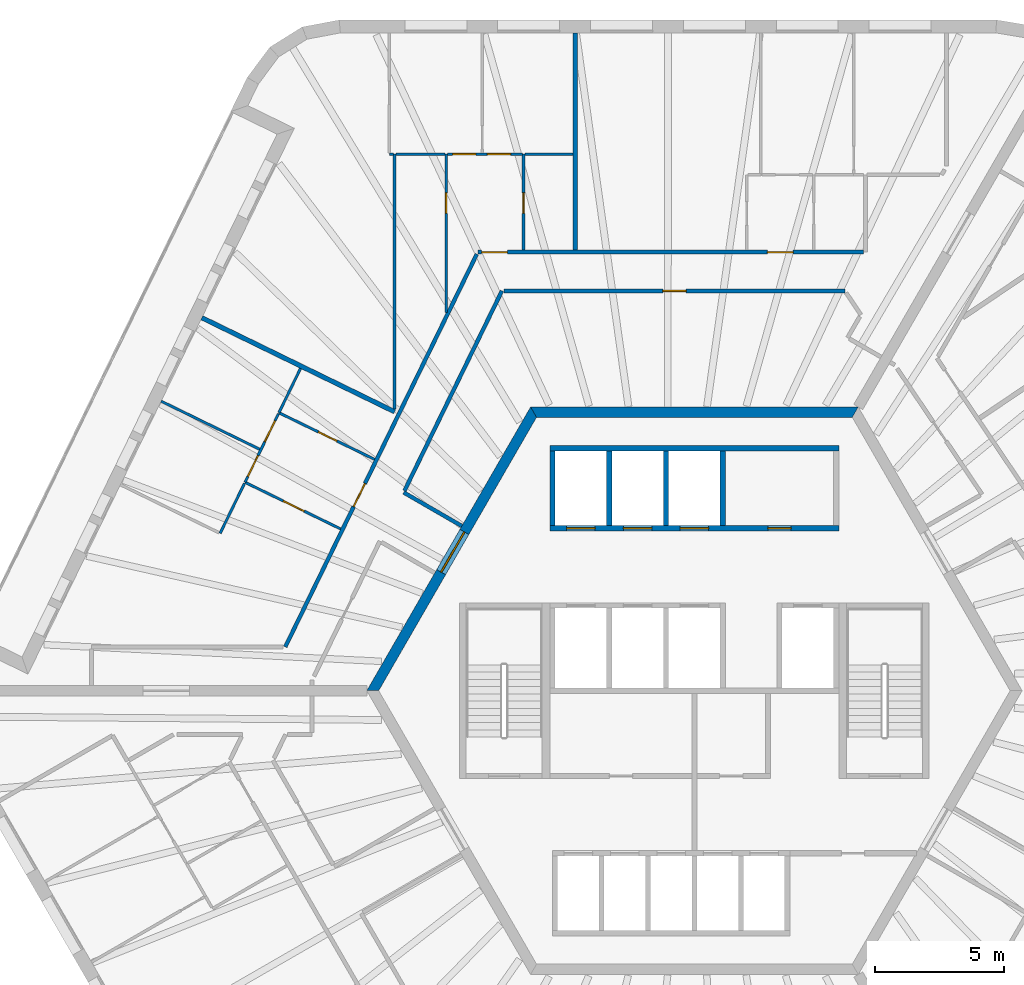
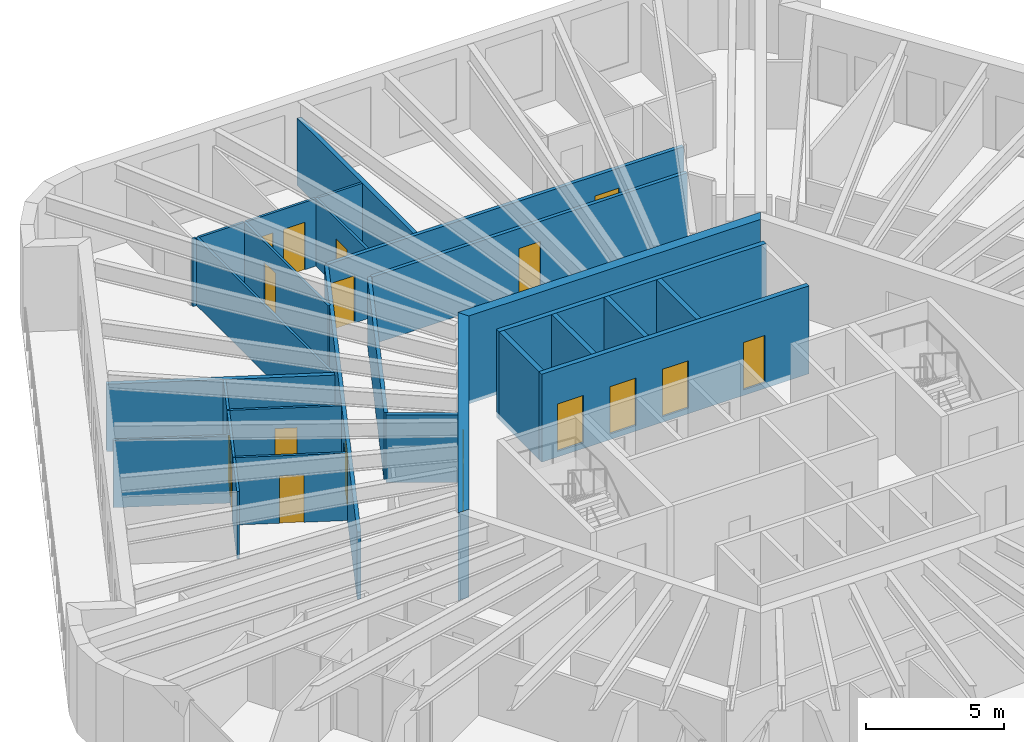
# One storey, part 8 of 12: 28 walls, 17 doors, 17 openings.
"""IFC4 building model written with IfcOpenShell, lengths in metres."""

import ifcopenshell
import ifcopenshell.guid

model = None  # the IFC model being written
_history = None  # IfcOwnerHistory: only IFC2X3 demands one
_inside = {}  # id of a spatial element -> (the spatial element, [elements in it])
_under = {}  # id of a project, library or spatial element -> (it, [spatial elements below it])
_declared = {}  # id of a project -> (the project, [libraries it declares])
_typed = {}  # id of a type object -> (the type object, [elements of that type])
_made_of = {}  # id of a material, layer set ... -> (it, [elements and type objects made of it])


def new_model(schema):
    """Start an empty IFC model of exactly this schema.

    Asked for "IFC4X3", IfcOpenShell would pick the latest addendum, in which some entities
    have other attributes; the version numbers below select the first issue.
    IFC2X3 requires an IfcOwnerHistory on every rooted entity: one is made here for all.
    """
    global model, _history
    if schema == "IFC4X3":
        model = ifcopenshell.file(schema_version=(4, 3, 0, 0))
    else:
        model = ifcopenshell.file(schema=schema)
    _inside.clear()
    _under.clear()
    _declared.clear()
    _typed.clear()
    _made_of.clear()
    _history = None
    if model.schema == "IFC2X3":
        org = make("IfcOrganization", Name="unknown")
        user = make(
            "IfcPersonAndOrganization",
            ThePerson=make("IfcPerson", FamilyName="unknown"),
            TheOrganization=org,
        )
        app = make(
            "IfcApplication",
            ApplicationDeveloper=org,
            Version="unknown",
            ApplicationFullName="unknown",
            ApplicationIdentifier="unknown",
        )
        _history = make(
            "IfcOwnerHistory",
            OwningUser=user,
            OwningApplication=app,
            ChangeAction="ADDED",
            CreationDate=0,
        )
    return model


def make(cls, **values):
    """One entity of the class cls with the attributes given. An attribute that is None is left unset."""
    return model.create_entity(
        cls, **{name: value for name, value in values.items() if value is not None}
    )


def rooted(cls, **values):
    """An entity with a GlobalId (a new one), such as an element, a storey or a relation."""
    return make(cls, GlobalId=ifcopenshell.guid.new(), OwnerHistory=_history, **values)


def si_unit(unit_type, name, prefix=None):
    """IfcSIUnit, for example si_unit("LENGTHUNIT", "METRE", prefix="MILLI")."""
    return make("IfcSIUnit", UnitType=unit_type, Prefix=prefix, Name=name)


def assignment(units):
    """IfcUnitAssignment: the units of a project."""
    return None if units is None else make("IfcUnitAssignment", Units=units)


def point(xyz):
    """IfcCartesianPoint."""
    return None if xyz is None else make("IfcCartesianPoint", Coordinates=xyz)


def direction(xyz):
    """IfcDirection."""
    return None if xyz is None else make("IfcDirection", DirectionRatios=xyz)


def frame(location, z_axis=None, x_axis=None):
    """IfcAxis2Placement3D, a coordinate frame: its origin and axes. An axis left out is left unset."""
    return make(
        "IfcAxis2Placement3D",
        Location=point(location),
        Axis=direction(z_axis),
        RefDirection=direction(x_axis),
    )


def frame_2d(location, x_axis=None):
    """IfcAxis2Placement2D, a coordinate frame in the plane: its origin and x axis."""
    return make(
        "IfcAxis2Placement2D", Location=point(location), RefDirection=direction(x_axis)
    )


def origin():
    """The frame at (0, 0, 0) with its axes left unset."""
    return frame((0.0, 0.0, 0.0))


def place(relative_to, where):
    """IfcLocalPlacement: puts the frame where relative to a parent placement (None: the world)."""
    return make(
        "IfcLocalPlacement", PlacementRelTo=relative_to, RelativePlacement=where
    )


def context(
    kind, dimensions, precision=None, world=None, true_north=None, identifier=None
):
    """IfcGeometricRepresentationContext, for example the 3D "Model" context."""
    return make(
        "IfcGeometricRepresentationContext",
        ContextIdentifier=identifier,
        ContextType=kind,
        CoordinateSpaceDimension=dimensions,
        Precision=precision,
        WorldCoordinateSystem=world,
        TrueNorth=true_north,
    )


def subcontext(parent, identifier, kind, view, scale=None):
    """IfcGeometricRepresentationSubContext, for example "Body" below "Model"."""
    return make(
        "IfcGeometricRepresentationSubContext",
        ContextIdentifier=identifier,
        ContextType=kind,
        ParentContext=parent,
        TargetScale=scale,
        TargetView=view,
    )


def project(units=None, contexts=None):
    """IfcProject with its units and contexts."""
    return rooted(
        "IfcProject",
        Name="project",
        RepresentationContexts=contexts,
        UnitsInContext=assignment(units),
    )


def spatial(cls, under=None, at=None, **own):
    """A site, building, storey or space (cls), placed at a placement, below another one or the project."""
    s = rooted(cls, ObjectPlacement=at, **own)
    if under is not None:
        _under.setdefault(under.id(), (under, []))[1].append(s)
    return s


def polyline(points):
    """IfcPolyline through the points."""
    return make("IfcPolyline", Points=[point(p) for p in points])


def profile(cls, at=None, kind="AREA", **sizes):
    """A parametric profile (cls). Its sizes go by their IFC names, for example OverallWidth=200.0."""
    return make(cls, ProfileType=kind, Position=at, **sizes)


def rectangle(**sizes):
    """IfcRectangleProfileDef."""
    return profile("IfcRectangleProfileDef", **sizes)


def outline(outer, holes=None, kind="AREA"):
    """IfcArbitraryClosedProfileDef: a profile drawn as a closed curve; with holes, ...WithVoids."""
    if holes is None:
        return make("IfcArbitraryClosedProfileDef", ProfileType=kind, OuterCurve=outer)
    return make(
        "IfcArbitraryProfileDefWithVoids",
        ProfileType=kind,
        OuterCurve=outer,
        InnerCurves=holes,
    )


def extrude(swept, where, along, depth):
    """IfcExtrudedAreaSolid: the profile swept, set in the frame where, extruded along a direction by depth."""
    return make(
        "IfcExtrudedAreaSolid",
        SweptArea=swept,
        Position=where,
        ExtrudedDirection=direction(along),
        Depth=depth,
    )


def shape(context_of_items, identifier, shape_type, items):
    """IfcShapeRepresentation: the items that make up one representation, for example the "Body"."""
    return make(
        "IfcShapeRepresentation",
        ContextOfItems=context_of_items,
        RepresentationIdentifier=identifier,
        RepresentationType=shape_type,
        Items=items,
    )


def material(Name=None, Category=None):
    """IfcMaterial."""
    return make("IfcMaterial", Name=Name, Category=Category)


def layer(
    of_material, thickness, ventilated=None, Name=None, Category=None, Priority=None
):
    """IfcMaterialLayer: one layer of a wall or slab, of a material (None: an air gap)."""
    return make(
        "IfcMaterialLayer",
        Material=of_material,
        LayerThickness=thickness,
        IsVentilated=ventilated,
        Name=Name,
        Category=Category,
        Priority=Priority,
    )


def layer_set(layers, Name=None):
    """IfcMaterialLayerSet."""
    return make("IfcMaterialLayerSet", MaterialLayers=layers, LayerSetName=Name)


def made_of(thing, what):
    """Note that an element or type object is made of a material, layer set ...; save() writes the relation."""
    if what is not None:
        _made_of.setdefault(what.id(), (what, []))[1].append(thing)
    return thing


def type_object(cls, material=None, **own):
    """A type object (cls), such as IfcWallType, which elements share."""
    return made_of(rooted(cls, **own), material)


def element(
    cls,
    number,
    at=None,
    inside=None,
    cuts=None,
    type_object=None,
    material=None,
    context=None,
    identifier="Body",
    shape_type=None,
    held_by="IfcProductDefinitionShape",
    body=None,
    shapes=None,
    **own,
):
    """One element of the class cls, such as IfcWall. Its Tag is "e" and its number.

    at: its placement. inside: the storey or other place that contains it. cuts: it is an
    opening in that element (IfcRelVoidsElement). A single representation is given by context,
    identifier, shape_type and body (its items); several are given by shapes. held_by: the class
    of the entity that holds the representations. save() writes the other relations.
    """
    e = rooted(cls, Tag="e%d" % number, ObjectPlacement=at, **own)
    if body is not None:
        shapes = [shape(context, identifier, shape_type, body)]
    if shapes is not None:
        e.Representation = make(held_by, Representations=shapes)
    if inside is not None:
        _inside.setdefault(inside.id(), (inside, []))[1].append(e)
    if cuts is not None:
        rooted(
            "IfcRelVoidsElement", RelatingBuildingElement=cuts, RelatedOpeningElement=e
        )
    if type_object is not None:
        _typed.setdefault(type_object.id(), (type_object, []))[1].append(e)
    return made_of(e, material)


def fill(opening, filler):
    """IfcRelFillsElement: the door or window that sits in an opening."""
    return rooted(
        "IfcRelFillsElement",
        RelatingOpeningElement=opening,
        RelatedBuildingElement=filler,
    )


def aggregate(whole, parts):
    """IfcRelAggregates: a whole, such as a stair, and the parts it consists of."""
    return rooted("IfcRelAggregates", RelatingObject=whole, RelatedObjects=parts)


def save(model, path):
    """Write the relations noted so far, then the file.

    IfcRelAggregates (storeys below a building ...), IfcRelContainedInSpatialStructure (elements
    in a storey), IfcRelDefinesByType, IfcRelAssociatesMaterial and IfcRelDeclares: one each for
    every whole, place, type object, material and project.
    """
    for whole, parts in _under.values():
        aggregate(whole, parts)
    for where, things in _inside.values():
        rooted(
            "IfcRelContainedInSpatialStructure",
            RelatedElements=things,
            RelatingStructure=where,
        )
    for kind, things in _typed.values():
        rooted("IfcRelDefinesByType", RelatedObjects=things, RelatingType=kind)
    for what, things in _made_of.values():
        rooted("IfcRelAssociatesMaterial", RelatedObjects=things, RelatingMaterial=what)
    for by, libraries in _declared.values():
        rooted("IfcRelDeclares", RelatingContext=by, RelatedDefinitions=libraries)
    model.write(path)


model = new_model("IFC4")

# Units and contexts
model_context = context("Model", 3, precision=1e-05, world=origin(), true_north=direction((0.0, 1.0)))
body_context = subcontext(model_context, "Body", "Model", "MODEL_VIEW")
ifc_project = project(units=[si_unit("LENGTHUNIT", "METRE"), si_unit("AREAUNIT", "SQUARE_METRE"), si_unit("VOLUMEUNIT", "CUBIC_METRE"), si_unit("PLANEANGLEUNIT", "RADIAN"), si_unit("MASSUNIT", "GRAM", prefix="KILO")], contexts=[model_context])

# Site, building, storey
site_placement = place(None, origin())
site = spatial("IfcSite", under=ifc_project, at=site_placement, CompositionType="ELEMENT")
building_placement = place(site_placement, origin())
building = spatial("IfcBuilding", under=site, at=building_placement, Name="Tarnside Tower", CompositionType="ELEMENT")
storey_placement = place(building_placement, frame((0.0, 0.0, 310.800048828125)))
storey = spatial("IfcBuildingStorey", under=building, at=storey_placement, Name="L75", CompositionType="ELEMENT", Elevation=310.800048828125)

# Wall
ifc_material_1 = material(Name="Gypsum board partition on steel studs", Category="steel")
ifc_layer_1 = layer(ifc_material_1, 0.10009765625)
ifc_layer_set_1 = layer_set([ifc_layer_1], Name="Bathroom wall 100")
wall_type_1 = type_object("IfcWallType", Name="Bathroom wall 100", PredefinedType="PARTITIONING", material=ifc_layer_set_1)
wall_1_placement = place(storey_placement, frame((-11.624755859375, 10.915283203125, 0.0), z_axis=(0.0, 0.0, 1.0), x_axis=(0.0, 1.0, 0.0)))
element("IfcWall", 1, at=wall_1_placement, inside=storey, type_object=wall_type_1, Name="Bathroom wall 24095", PredefinedType="PARTITIONING", context=body_context, shape_type="SweptSolid", body=[
    extrude(rectangle(XDim=9.884765625, YDim=0.10009765625, at=frame_2d((4.9423828125, 0.0))), origin(), (0.0, 0.0, 1.0), 2.98779296875),
])

# Wall, opening, door
wall_2_placement = place(storey_placement, frame((-6.624755859375, 17.074951171875, 0.0), z_axis=(0.0, 0.0, 1.0), x_axis=(0.0, 1.0, 0.0)))
wall_2 = element("IfcWall", 2, at=wall_2_placement, inside=storey, type_object=wall_type_1, Name="Bathroom wall 24098", PredefinedType="PARTITIONING", context=body_context, shape_type="SweptSolid", body=[
    extrude(rectangle(XDim=3.72509765625, YDim=0.10009765625, at=frame_2d((1.862548828125, 0.0))), origin(), (0.0, 0.0, 1.0), 2.98779296875),
])
opening_1_placement = place(wall_2_placement, frame((1.425048828125, 0.0, 0.0)))
opening_1 = element("IfcOpeningElement", 3, at=opening_1_placement, cuts=wall_2, Name="Opening D-B1", PredefinedType="OPENING", context=body_context, shape_type="SweptSolid", body=[
    extrude(rectangle(XDim=0.800048828125, YDim=2.10009765625, at=frame_2d((0.39990234375, 1.050048828125))), frame((0.0, 0.06005859375, 0.0), z_axis=(0.0, -1.0, 0.0), x_axis=(1.0, 0.0, 0.0)), (0.0, 0.0, 1.0), 0.1201171875),
])
ifc_material_2 = material(Name="Timber door leaf", Category="wood")
door_type_1 = type_object("IfcDoorType", Name="Bathroom door 800", OperationType="NOTDEFINED", PredefinedType="DOOR", material=ifc_material_2)
door_1_placement = place(opening_1_placement, origin())
door_1 = element("IfcDoor", 4, at=door_1_placement, inside=storey, type_object=door_type_1, Name="Bathroom door 24009", OperationType="SINGLE_SWING_RIGHT", OverallHeight=2.10009765625, OverallWidth=0.800048828125, PredefinedType="DOOR", context=body_context, shape_type="SweptSolid", body=[
    extrude(rectangle(XDim=0.800048828125, YDim=2.10009765625, at=frame_2d((0.39990234375, 1.050048828125))), frame((0.0, 0.02490234375, 0.0), z_axis=(0.0, -1.0, 0.0), x_axis=(1.0, 0.0, 0.0)), (0.0, 0.0, 1.0), 0.050048828125),
])
fill(opening_1, door_1)

wall_3_placement = place(storey_placement, frame((-9.624755859375, 20.800048828125, 0.0), z_axis=(0.0, 0.0, 1.0), x_axis=(0.0, -1.0, 0.0)))
wall_3 = element("IfcWall", 5, at=wall_3_placement, inside=storey, type_object=wall_type_1, Name="Bathroom wall 24101", PredefinedType="PARTITIONING", context=body_context, shape_type="SweptSolid", body=[
    extrude(rectangle(XDim=6.14501953125, YDim=0.10009765625, at=frame_2d((3.072509765625, 0.0))), origin(), (0.0, 0.0, 1.0), 2.98779296875),
])
opening_2_placement = place(wall_3_placement, frame((1.5, 0.0, 0.0)))
opening_2 = element("IfcOpeningElement", 6, at=opening_2_placement, cuts=wall_3, Name="Opening D-B1", PredefinedType="OPENING", context=body_context, shape_type="SweptSolid", body=[
    extrude(rectangle(XDim=0.800048828125, YDim=2.10009765625, at=frame_2d((0.39990234375, 1.050048828125))), frame((0.0, 0.06005859375, 0.0), z_axis=(0.0, -1.0, 0.0), x_axis=(1.0, 0.0, 0.0)), (0.0, 0.0, 1.0), 0.1201171875),
])
door_2_placement = place(opening_2_placement, origin())
door_2 = element("IfcDoor", 7, at=door_2_placement, inside=storey, type_object=door_type_1, Name="Bathroom door 24016", OperationType="SINGLE_SWING_RIGHT", OverallHeight=2.10009765625, OverallWidth=0.800048828125, PredefinedType="DOOR", context=body_context, shape_type="SweptSolid", body=[
    extrude(rectangle(XDim=0.800048828125, YDim=2.10009765625, at=frame_2d((0.39990234375, 1.050048828125))), frame((0.0, 0.02490234375, 0.0), z_axis=(0.0, -1.0, 0.0), x_axis=(1.0, 0.0, 0.0)), (0.0, 0.0, 1.0), 0.050048828125),
])
fill(opening_2, door_2)

# Walls
wall_4_placement = place(storey_placement, frame((-4.71484375, 20.800048828125, 0.0), z_axis=(0.0, 0.0, 1.0), x_axis=(-1.0, 0.0, 0.0)))
element("IfcWall", 8, at=wall_4_placement, inside=storey, type_object=wall_type_1, Name="Bathroom wall 24102", PredefinedType="PARTITIONING", context=body_context, shape_type="SweptSolid", body=[
    extrude(rectangle(XDim=1.862060546875, YDim=0.10009765625, at=frame_2d((0.93115234375, 0.0))), origin(), (0.0, 0.0, 1.0), 2.98779296875),
])
wall_5_placement = place(storey_placement, frame((-11.57470703125, 20.800048828125, 0.0), z_axis=(0.0, 0.0, 1.0), x_axis=(1.0, 0.0, 0.0)))
element("IfcWall", 9, at=wall_5_placement, inside=storey, type_object=wall_type_1, Name="Bathroom wall 24104", PredefinedType="PARTITIONING", context=body_context, shape_type="SweptSolid", body=[
    extrude(rectangle(XDim=1.89990234375, YDim=0.10009765625, at=frame_2d((0.949951171875, 0.0))), origin(), (0.0, 0.0, 1.0), 2.98779296875),
])

# Wall, opening, door
wall_6_placement = place(storey_placement, frame((-12.398681640625, 8.967529296875, 0.0), z_axis=(0.0, 0.0, 1.0), x_axis=(-0.898787215731, 0.438385151252, 0.0)))
wall_6 = element("IfcWall", 10, at=wall_6_placement, inside=storey, type_object=wall_type_1, Name="Bathroom wall 24108", PredefinedType="PARTITIONING", context=body_context, shape_type="SweptSolid", body=[
    extrude(rectangle(XDim=4.125, YDim=0.10009765625, at=frame_2d((2.0625, 0.0))), origin(), (0.0, 0.0, 1.0), 2.98779296875),
])
opening_3_placement = place(wall_6_placement, frame((1.625, 0.0, 0.0)))
opening_3 = element("IfcOpeningElement", 11, at=opening_3_placement, cuts=wall_6, Name="Opening D-B1", PredefinedType="OPENING", context=body_context, shape_type="SweptSolid", body=[
    extrude(rectangle(XDim=0.800048828125, YDim=2.10009765625, at=frame_2d((0.39990234375, 1.050048828125))), frame((0.0, 0.06005859375, 0.0), z_axis=(0.0, -1.0, 0.0), x_axis=(1.0, 0.0, 0.0)), (0.0, 0.0, 1.0), 0.1201171875),
])
door_3_placement = place(opening_3_placement, origin())
door_3 = element("IfcDoor", 12, at=door_3_placement, inside=storey, type_object=door_type_1, Name="Bathroom door 24018", OperationType="SINGLE_SWING_RIGHT", OverallHeight=2.10009765625, OverallWidth=0.800048828125, PredefinedType="DOOR", context=body_context, shape_type="SweptSolid", body=[
    extrude(rectangle(XDim=0.800048828125, YDim=2.10009765625, at=frame_2d((0.39990234375, 1.050048828125))), frame((0.0, 0.02490234375, 0.0), z_axis=(0.0, -1.0, 0.0), x_axis=(1.0, 0.0, 0.0)), (0.0, 0.0, 1.0), 0.050048828125),
])
fill(opening_3, door_3)

# Wall
wall_7_placement = place(storey_placement, frame((-15.26904296875, 12.492431640625, 0.0), z_axis=(0.0, 0.0, 1.0), x_axis=(-0.438355705964, -0.898801577128, 0.0)))
element("IfcWall", 13, at=wall_7_placement, inside=storey, type_object=wall_type_1, Name="Bathroom wall 24111", PredefinedType="PARTITIONING", context=body_context, shape_type="SweptSolid", body=[
    extrude(rectangle(XDim=1.912109375, YDim=0.10009765625, at=frame_2d((0.9560546875, 0.0))), origin(), (0.0, 0.0, 1.0), 2.98779296875),
])

# Wall, opening, door
ifc_material_3 = material(Name="Concrete C60/75", Category="concrete")
ifc_layer_2 = layer(ifc_material_3, 0.39990234375)
ifc_layer_set_2 = layer_set([ifc_layer_2], Name="Core wall Z3 400 C60/75")
wall_type_2 = type_object("IfcWallType", Name="Core wall Z3 400 C60/75", PredefinedType="SHEAR", material=ifc_layer_set_2)
wall_8_placement = place(storey_placement, frame((-6.2353515625, 10.800048828125, -0.150146484375), z_axis=(0.0, 0.0, 1.0), x_axis=(-0.499996419489, -0.866027470984, 0.0)))
wall_8 = element("IfcWall", 14, at=wall_8_placement, inside=storey, type_object=wall_type_2, Name="L75 core wall face 2", PredefinedType="SHEAR", context=body_context, shape_type="SweptSolid", body=[
    extrude(outline(polyline([(-0.115478515625, -0.199951171875), (12.586181640625, -0.199951171875), (12.355224609375, 0.199951171875), (0.115478515625, 0.199951171875), (-0.115478515625, -0.199951171875)])), origin(), (0.0, 0.0, 1.0), 3.900146484375),
])
opening_4_placement = place(wall_8_placement, frame((5.3642578125, 0.0, 0.14990234375)))
opening_4 = element("IfcOpeningElement", 15, at=opening_4_placement, cuts=wall_8, Name="Opening CD-LOB", PredefinedType="OPENING", context=body_context, shape_type="SweptSolid", body=[
    extrude(rectangle(XDim=1.800048828125, YDim=2.39990234375, at=frame_2d((0.89990234375, 1.199951171875))), frame((0.0, 0.2099609375, 0.0), z_axis=(0.0, -1.0, 0.0), x_axis=(1.0, 0.0, 0.0)), (0.0, 0.0, 1.0), 0.419921875),
])
ifc_material_4 = material(Name="Steel fire door", Category="steel")
door_type_2 = type_object("IfcDoorType", Name="Lobby double door FD30S 1800x2400", OperationType="NOTDEFINED", PredefinedType="DOOR", material=ifc_material_4)
door_4_placement = place(opening_4_placement, origin())
door_4 = element("IfcDoor", 16, at=door_4_placement, inside=storey, type_object=door_type_2, Name="L75 core door P1", OperationType="DOUBLE_DOOR_SINGLE_SWING", OverallHeight=2.39990234375, OverallWidth=1.800048828125, PredefinedType="DOOR", context=body_context, shape_type="SweptSolid", body=[
    extrude(rectangle(XDim=1.800048828125, YDim=2.39990234375, at=frame_2d((0.89990234375, 1.199951171875))), frame((0.0, 0.02490234375, 0.0), z_axis=(0.0, -1.0, 0.0), x_axis=(1.0, 0.0, 0.0)), (0.0, 0.0, 1.0), 0.050048828125),
])
fill(opening_4, door_4)

# Wall
wall_9_placement = place(storey_placement, frame((6.2353515625, 10.800048828125, -0.150146484375), z_axis=(0.0, 0.0, 1.0), x_axis=(-1.0, 0.0, 0.0)))
element("IfcWall", 17, at=wall_9_placement, inside=storey, type_object=wall_type_2, Name="L75 core wall face 1", PredefinedType="SHEAR", context=body_context, shape_type="SweptSolid", body=[
    extrude(outline(polyline([(-0.115478515625, -0.199951171875), (12.586181640625, -0.199951171875), (12.355224609375, 0.199951171875), (0.115478515625, 0.199951171875), (-0.115478515625, -0.199951171875)])), origin(), (0.0, 0.0, 1.0), 3.900146484375),
])

# Wall, openings, doors
ifc_layer_3 = layer(ifc_material_1, 0.14990234375)
ifc_layer_set_3 = layer_set([ifc_layer_3], Name="Corridor wall 150 EI 60")
wall_type_3 = type_object("IfcWallType", Name="Corridor wall 150 EI 60", PredefinedType="PARTITIONING", material=ifc_layer_set_3)
wall_10_placement = place(storey_placement, frame((6.551513671875, 17.0, 0.0), z_axis=(0.0, 0.0, 1.0), x_axis=(-1.0, 0.0, 0.0)))
wall_10 = element("IfcWall", 18, at=wall_10_placement, inside=storey, type_object=wall_type_3, Name="Corridor wall 24001", PredefinedType="PARTITIONING", context=body_context, shape_type="SweptSolid", body=[
    extrude(rectangle(XDim=14.948974609375, YDim=0.14990234375, at=frame_2d((7.474609375, 0.0))), origin(), (0.0, 0.0, 1.0), 2.98779296875),
])
opening_5_placement = place(wall_10_placement, frame((2.72509765625, 0.0, 0.0)))
opening_5 = element("IfcOpeningElement", 19, at=opening_5_placement, cuts=wall_10, Name="Opening D-E1", PredefinedType="OPENING", context=body_context, shape_type="SweptSolid", body=[
    extrude(rectangle(XDim=1.0, YDim=2.10009765625, at=frame_2d((0.5, 1.050048828125))), frame((0.0, 0.0849609375, 0.0), z_axis=(0.0, -1.0, 0.0), x_axis=(1.0, 0.0, 0.0)), (0.0, 0.0, 1.0), 0.169921875),
])
opening_6_placement = place(wall_10_placement, frame((13.79931640625, 0.0, 0.0)))
opening_6 = element("IfcOpeningElement", 20, at=opening_6_placement, cuts=wall_10, Name="Opening D-E1", PredefinedType="OPENING", context=body_context, shape_type="SweptSolid", body=[
    extrude(rectangle(XDim=1.0, YDim=2.10009765625, at=frame_2d((0.5, 1.050048828125))), frame((0.0, 0.0849609375, 0.0), z_axis=(0.0, -1.0, 0.0), x_axis=(1.0, 0.0, 0.0)), (0.0, 0.0, 1.0), 0.169921875),
])
door_type_3 = type_object("IfcDoorType", Name="Unit entrance door 1000 FD30S", OperationType="NOTDEFINED", PredefinedType="DOOR", material=ifc_material_2)
door_5_placement = place(opening_5_placement, origin())
door_5 = element("IfcDoor", 21, at=door_5_placement, inside=storey, type_object=door_type_3, Name="Unit door 24001", OperationType="SINGLE_SWING_RIGHT", OverallHeight=2.10009765625, OverallWidth=1.0, PredefinedType="DOOR", context=body_context, shape_type="SweptSolid", body=[
    extrude(rectangle(XDim=1.0, YDim=2.10009765625, at=frame_2d((0.5, 1.050048828125))), frame((0.0, 0.02490234375, 0.0), z_axis=(0.0, -1.0, 0.0), x_axis=(1.0, 0.0, 0.0)), (0.0, 0.0, 1.0), 0.050048828125),
])
fill(opening_5, door_5)
door_6_placement = place(opening_6_placement, origin())
door_6 = element("IfcDoor", 22, at=door_6_placement, inside=storey, type_object=door_type_3, Name="Unit door 24008", OperationType="SINGLE_SWING_LEFT", OverallHeight=2.10009765625, OverallWidth=1.0, PredefinedType="DOOR", context=body_context, shape_type="SweptSolid", body=[
    extrude(rectangle(XDim=1.0, YDim=2.10009765625, at=frame_2d((0.5, 1.050048828125))), frame((0.0, 0.02490234375, 0.0), z_axis=(0.0, -1.0, 0.0), x_axis=(1.0, 0.0, 0.0)), (0.0, 0.0, 1.0), 0.050048828125),
])
fill(opening_6, door_6)

# Wall, opening, door
wall_11_placement = place(storey_placement, frame((-8.43408203125, 16.925048828125, 0.0), z_axis=(0.0, 0.0, 1.0), x_axis=(-0.438371383278, -0.898793930956, 0.0)))
wall_11 = element("IfcWall", 23, at=wall_11_placement, inside=storey, type_object=wall_type_3, Name="Corridor wall 24009", PredefinedType="PARTITIONING", context=body_context, shape_type="SweptSolid", body=[
    extrude(rectangle(XDim=16.939453125, YDim=0.14990234375, at=frame_2d((8.4697265625, 0.0))), origin(), (0.0, 0.0, 1.0), 2.98779296875),
])
opening_7_placement = place(wall_11_placement, frame((9.89013671875, 0.0, 0.0)))
opening_7 = element("IfcOpeningElement", 24, at=opening_7_placement, cuts=wall_11, Name="Opening D-E1", PredefinedType="OPENING", context=body_context, shape_type="SweptSolid", body=[
    extrude(rectangle(XDim=1.0, YDim=2.10009765625, at=frame_2d((0.5, 1.050048828125))), frame((0.0, 0.0849609375, 0.0), z_axis=(0.0, -1.0, 0.0), x_axis=(1.0, 0.0, 0.0)), (0.0, 0.0, 1.0), 0.169921875),
])
door_7_placement = place(opening_7_placement, origin())
door_7 = element("IfcDoor", 25, at=door_7_placement, inside=storey, type_object=door_type_3, Name="Unit door 24017", OperationType="SINGLE_SWING_RIGHT", OverallHeight=2.10009765625, OverallWidth=1.0, PredefinedType="DOOR", context=body_context, shape_type="SweptSolid", body=[
    extrude(rectangle(XDim=1.0, YDim=2.10009765625, at=frame_2d((0.5, 1.050048828125))), frame((0.0, 0.02490234375, 0.0), z_axis=(0.0, -1.0, 0.0), x_axis=(1.0, 0.0, 0.0)), (0.0, 0.0, 1.0), 0.050048828125),
])
fill(opening_7, door_7)

# Walls
wall_12_placement = place(storey_placement, frame((-9.015625, 6.38427734375, 0.0), z_axis=(0.0, 0.0, 1.0), x_axis=(-0.866031051173, 0.499990218309, 0.0)))
element("IfcWall", 26, at=wall_12_placement, inside=storey, type_object=wall_type_3, Name="Corridor wall 24017", PredefinedType="PARTITIONING", context=body_context, shape_type="SweptSolid", body=[
    extrude(rectangle(XDim=2.6044921875, YDim=0.14990234375, at=frame_2d((1.30224609375, 0.0))), origin(), (0.0, 0.0, 1.0), 2.98779296875),
])
wall_13_placement = place(storey_placement, frame((-11.23828125, 7.754150390625, 0.0), z_axis=(0.0, 0.0, 1.0), x_axis=(0.438387352899, 0.89878614187, 0.0)))
element("IfcWall", 27, at=wall_13_placement, inside=storey, type_object=wall_type_3, Name="Corridor wall 24018", PredefinedType="PARTITIONING", context=body_context, shape_type="SweptSolid", body=[
    extrude(rectangle(XDim=8.6181640625, YDim=0.14990234375, at=frame_2d((4.30908203125, 0.0))), origin(), (0.0, 0.0, 1.0), 2.98779296875),
])

# Wall, opening, door
wall_14_placement = place(storey_placement, frame((-7.376708984375, 15.5, 0.0), z_axis=(0.0, 0.0, 1.0), x_axis=(1.0, 0.0, 0.0)))
wall_14 = element("IfcWall", 28, at=wall_14_placement, inside=storey, type_object=wall_type_3, Name="Corridor wall 24019", PredefinedType="PARTITIONING", context=body_context, shape_type="SweptSolid", body=[
    extrude(rectangle(XDim=13.205810546875, YDim=0.14990234375, at=frame_2d((6.60302734375, 0.0))), origin(), (0.0, 0.0, 1.0), 2.98779296875),
])
opening_8_placement = place(wall_14_placement, frame((6.15283203125, 0.0, 0.0)))
opening_8 = element("IfcOpeningElement", 29, at=opening_8_placement, cuts=wall_14, Name="Opening D-S1", PredefinedType="OPENING", context=body_context, shape_type="SweptSolid", body=[
    extrude(rectangle(XDim=0.89990234375, YDim=2.10009765625, at=frame_2d((0.449951171875, 1.050048828125))), frame((0.0, 0.0849609375, 0.0), z_axis=(0.0, -1.0, 0.0), x_axis=(1.0, 0.0, 0.0)), (0.0, 0.0, 1.0), 0.169921875),
])
door_type_4 = type_object("IfcDoorType", Name="Service room door 900 FD30S", OperationType="NOTDEFINED", PredefinedType="DOOR", material=ifc_material_2)
door_8_placement = place(opening_8_placement, origin())
door_8 = element("IfcDoor", 30, at=door_8_placement, inside=storey, type_object=door_type_4, Name="Service door 24063", OperationType="SINGLE_SWING_LEFT", OverallHeight=2.10009765625, OverallWidth=0.89990234375, PredefinedType="DOOR", context=body_context, shape_type="SweptSolid", body=[
    extrude(rectangle(XDim=0.89990234375, YDim=2.10009765625, at=frame_2d((0.449951171875, 1.050048828125))), frame((0.0, 0.02490234375, 0.0), z_axis=(0.0, -1.0, 0.0), x_axis=(1.0, 0.0, 0.0)), (0.0, 0.0, 1.0), 0.050048828125),
])
fill(opening_8, door_8)

# Walls
ifc_layer_4 = layer(ifc_material_1, 0.179931640625)
ifc_layer_set_4 = layer_set([ifc_layer_4], Name="Demising wall 180 EI 60")
wall_type_4 = type_object("IfcWallType", Name="Demising wall 180 EI 60", PredefinedType="PARTITIONING", material=ifc_layer_set_4)
wall_15_placement = place(storey_placement, frame((-4.624755859375, 25.5, 0.0), z_axis=(0.0, 0.0, 1.0), x_axis=(0.0, -1.0, 0.0)))
element("IfcWall", 31, at=wall_15_placement, inside=storey, type_object=wall_type_4, Name="Demising wall 24086", PredefinedType="PARTITIONING", context=body_context, shape_type="SweptSolid", body=[
    extrude(rectangle(XDim=8.425048828125, YDim=0.179931640625, at=frame_2d((4.21240234375, 0.0))), origin(), (0.0, 0.0, 1.0), 2.98779296875),
])
wall_16_placement = place(storey_placement, frame((-19.09423828125, 14.45849609375, 0.0), z_axis=(0.0, 0.0, 1.0), x_axis=(0.898789332666, -0.438380811038, 0.0)))
element("IfcWall", 32, at=wall_16_placement, inside=storey, type_object=wall_type_4, Name="Demising wall 24096", PredefinedType="PARTITIONING", context=body_context, shape_type="SweptSolid", body=[
    extrude(rectangle(XDim=8.3125, YDim=0.179931640625, at=frame_2d((4.15625, 0.0))), origin(), (0.0, 0.0, 1.0), 2.98779296875),
])

# Wall, openings, doors
ifc_material_5 = material(Name="Concrete C40/50", Category="concrete")
ifc_layer_5 = layer(ifc_material_5, 0.199951171875)
ifc_layer_set_5 = layer_set([ifc_layer_5], Name="Lift shaft wall 200 C40/50")
wall_type_5 = type_object("IfcWallType", Name="Lift shaft wall 200 C40/50", PredefinedType="SHEAR", material=ifc_layer_set_5)
wall_17_placement = place(storey_placement, frame((-5.60009765625, 6.300048828125, -0.25), z_axis=(0.0, 0.0, 1.0), x_axis=(1.0, 0.0, 0.0)))
wall_17 = element("IfcWall", 33, at=wall_17_placement, inside=storey, type_object=wall_type_5, Name="L75 lift shaft front wall R1", PredefinedType="SHEAR", context=body_context, shape_type="SweptSolid", body=[
    extrude(rectangle(XDim=11.2001953125, YDim=0.199951171875, at=frame_2d((5.60009765625, 0.0))), origin(), (0.0, 0.0, 1.0), 3.89990234375),
])
opening_9_placement = place(wall_17_placement, frame((8.449951171875, 0.0, 0.25)))
opening_9 = element("IfcOpeningElement", 34, at=opening_9_placement, cuts=wall_17, Name="Opening CD-room", PredefinedType="OPENING", context=body_context, shape_type="SweptSolid", body=[
    extrude(rectangle(XDim=0.89990234375, YDim=2.10009765625, at=frame_2d((0.449951171875, 1.050048828125))), frame((0.0, 0.10986328125, 0.0), z_axis=(0.0, -1.0, 0.0), x_axis=(1.0, 0.0, 0.0)), (0.0, 0.0, 1.0), 0.219970703125),
])
opening_10_placement = place(wall_17_placement, frame((0.64990234375, 0.0, 0.25)))
opening_10 = element("IfcOpeningElement", 35, at=opening_10_placement, cuts=wall_17, Name="Opening LD", PredefinedType="OPENING", context=body_context, shape_type="SweptSolid", body=[
    extrude(rectangle(XDim=1.10009765625, YDim=2.10009765625, at=frame_2d((0.550048828125, 1.050048828125))), frame((0.0, 0.10986328125, 0.0), z_axis=(0.0, -1.0, 0.0), x_axis=(1.0, 0.0, 0.0)), (0.0, 0.0, 1.0), 0.219970703125),
])
opening_11_placement = place(wall_17_placement, frame((2.85009765625, 0.0, 0.25)))
opening_11 = element("IfcOpeningElement", 36, at=opening_11_placement, cuts=wall_17, Name="Opening LD", PredefinedType="OPENING", context=body_context, shape_type="SweptSolid", body=[
    extrude(rectangle(XDim=1.10009765625, YDim=2.10009765625, at=frame_2d((0.550048828125, 1.050048828125))), frame((0.0, 0.10986328125, 0.0), z_axis=(0.0, -1.0, 0.0), x_axis=(1.0, 0.0, 0.0)), (0.0, 0.0, 1.0), 0.219970703125),
])
opening_12_placement = place(wall_17_placement, frame((5.050048828125, 0.0, 0.25)))
opening_12 = element("IfcOpeningElement", 37, at=opening_12_placement, cuts=wall_17, Name="Opening LD", PredefinedType="OPENING", context=body_context, shape_type="SweptSolid", body=[
    extrude(rectangle(XDim=1.10009765625, YDim=2.10009765625, at=frame_2d((0.550048828125, 1.050048828125))), frame((0.0, 0.10986328125, 0.0), z_axis=(0.0, -1.0, 0.0), x_axis=(1.0, 0.0, 0.0)), (0.0, 0.0, 1.0), 0.219970703125),
])
ifc_material_6 = material(Name="Stainless steel", Category="steel")
door_type_5 = type_object("IfcDoorType", Name="Lift landing door 1100x2100", OperationType="NOTDEFINED", PredefinedType="DOOR", material=ifc_material_6)
door_9_placement = place(opening_10_placement, origin())
door_9 = element("IfcDoor", 38, at=door_9_placement, inside=storey, type_object=door_type_5, Name="High-rise lift 1 landing door L75", OperationType="SLIDING_TO_LEFT", OverallHeight=2.10009765625, OverallWidth=1.10009765625, PredefinedType="DOOR", context=body_context, shape_type="SweptSolid", body=[
    extrude(rectangle(XDim=1.10009765625, YDim=2.10009765625, at=frame_2d((0.550048828125, 1.050048828125))), frame((0.0, 0.02490234375, 0.0), z_axis=(0.0, -1.0, 0.0), x_axis=(1.0, 0.0, 0.0)), (0.0, 0.0, 1.0), 0.050048828125),
])
fill(opening_10, door_9)
door_10_placement = place(opening_11_placement, origin())
door_10 = element("IfcDoor", 39, at=door_10_placement, inside=storey, type_object=door_type_5, Name="High-rise lift 2 landing door L75", OperationType="SLIDING_TO_LEFT", OverallHeight=2.10009765625, OverallWidth=1.10009765625, PredefinedType="DOOR", context=body_context, shape_type="SweptSolid", body=[
    extrude(rectangle(XDim=1.10009765625, YDim=2.10009765625, at=frame_2d((0.550048828125, 1.050048828125))), frame((0.0, 0.02490234375, 0.0), z_axis=(0.0, -1.0, 0.0), x_axis=(1.0, 0.0, 0.0)), (0.0, 0.0, 1.0), 0.050048828125),
])
fill(opening_11, door_10)
door_11_placement = place(opening_12_placement, origin())
door_11 = element("IfcDoor", 40, at=door_11_placement, inside=storey, type_object=door_type_5, Name="High-rise lift 3 landing door L75", OperationType="SLIDING_TO_LEFT", OverallHeight=2.10009765625, OverallWidth=1.10009765625, PredefinedType="DOOR", context=body_context, shape_type="SweptSolid", body=[
    extrude(rectangle(XDim=1.10009765625, YDim=2.10009765625, at=frame_2d((0.550048828125, 1.050048828125))), frame((0.0, 0.02490234375, 0.0), z_axis=(0.0, -1.0, 0.0), x_axis=(1.0, 0.0, 0.0)), (0.0, 0.0, 1.0), 0.050048828125),
])
fill(opening_12, door_11)
door_type_6 = type_object("IfcDoorType", Name="Room door FD60 900x2100", OperationType="NOTDEFINED", PredefinedType="DOOR", material=ifc_material_4)
door_12_placement = place(opening_9_placement, origin())
door_12 = element("IfcDoor", 41, at=door_12_placement, inside=storey, type_object=door_type_6, Name="L75 core room door FC1", OperationType="SINGLE_SWING_LEFT", OverallHeight=2.10009765625, OverallWidth=0.89990234375, PredefinedType="DOOR", context=body_context, shape_type="SweptSolid", body=[
    extrude(rectangle(XDim=0.89990234375, YDim=2.10009765625, at=frame_2d((0.449951171875, 1.050048828125))), frame((0.0, 0.02490234375, 0.0), z_axis=(0.0, -1.0, 0.0), x_axis=(1.0, 0.0, 0.0)), (0.0, 0.0, 1.0), 0.050048828125),
])
fill(opening_9, door_12)

# Walls
wall_18_placement = place(storey_placement, frame((-5.60009765625, 9.39990234375, -0.25), z_axis=(0.0, 0.0, 1.0), x_axis=(1.0, 0.0, 0.0)))
element("IfcWall", 42, at=wall_18_placement, inside=storey, type_object=wall_type_5, Name="L75 lift shaft back wall R1", PredefinedType="SHEAR", context=body_context, shape_type="SweptSolid", body=[
    extrude(rectangle(XDim=11.2001953125, YDim=0.199951171875, at=frame_2d((5.60009765625, 0.0))), origin(), (0.0, 0.0, 1.0), 3.89990234375),
])
for number, where, z_axis, x_axis, name in (
    (43, (-5.5, 6.39990234375, -0.25), (0.0, 0.0, 1.0), (0.0, 1.0, 0.0), "L75 lift shaft partition R11"),
    (44, (-3.300048828125, 6.39990234375, -0.25), (0.0, 0.0, 1.0), (0.0, 1.0, 0.0), "L75 lift shaft partition R12"),
    (45, (-1.10009765625, 6.39990234375, -0.25), (0.0, 0.0, 1.0), (0.0, 1.0, 0.0), "L75 lift shaft partition R13"),
    (46, (1.10009765625, 6.39990234375, -0.25), (0.0, 0.0, 1.0), (0.0, 1.0, 0.0), "L75 lift shaft partition R14"),
):
    element("IfcWall", number, at=place(storey_placement, frame(where, z_axis=z_axis, x_axis=x_axis)), inside=storey, type_object=wall_type_5, Name=name, PredefinedType="SHEAR", context=body_context, shape_type="SweptSolid", body=[
        extrude(rectangle(XDim=2.900146484375, YDim=0.199951171875, at=frame_2d((1.4501953125, 0.0))), origin(), (0.0, 0.0, 1.0), 3.89990234375),
    ])
ifc_layer_6 = layer(ifc_material_1, 0.10009765625)
ifc_layer_set_6 = layer_set([ifc_layer_6], Name="Partition 100")
wall_type_6 = type_object("IfcWallType", Name="Partition 100", PredefinedType="PARTITIONING", material=ifc_layer_set_6)
wall_19_placement = place(storey_placement, frame((-11.6728515625, 20.800048828125, 0.0), z_axis=(0.0, 0.0, 1.0), x_axis=(-1.0, 0.0, 0.0)))
element("IfcWall", 47, at=wall_19_placement, inside=storey, type_object=wall_type_6, Name="Partition wall 24093", PredefinedType="PARTITIONING", context=body_context, shape_type="SweptSolid", body=[
    extrude(rectangle(XDim=0.15185546875, YDim=0.10009765625, at=frame_2d((0.075927734375, 0.0))), origin(), (0.0, 0.0, 1.0), 2.98779296875),
])

# Wall, openings, doors
wall_20_placement = place(storey_placement, frame((-6.6728515625, 20.800048828125, 0.0), z_axis=(0.0, 0.0, 1.0), x_axis=(-1.0, 0.0, 0.0)))
wall_20 = element("IfcWall", 48, at=wall_20_placement, inside=storey, type_object=wall_type_6, Name="Partition wall 24099", PredefinedType="PARTITIONING", context=body_context, shape_type="SweptSolid", body=[
    extrude(rectangle(XDim=2.904052734375, YDim=0.10009765625, at=frame_2d((1.4521484375, 0.0))), origin(), (0.0, 0.0, 1.0), 2.98779296875),
])
opening_13_placement = place(wall_20_placement, frame((0.451904296875, 0.0, 0.0)))
opening_13 = element("IfcOpeningElement", 49, at=opening_13_placement, cuts=wall_20, Name="Opening D-I1", PredefinedType="OPENING", context=body_context, shape_type="SweptSolid", body=[
    extrude(rectangle(XDim=0.89990234375, YDim=2.10009765625, at=frame_2d((0.449951171875, 1.050048828125))), frame((0.0, 0.06005859375, 0.0), z_axis=(0.0, -1.0, 0.0), x_axis=(1.0, 0.0, 0.0)), (0.0, 0.0, 1.0), 0.1201171875),
])
opening_14_placement = place(wall_20_placement, frame((1.802001953125, 0.0, 0.0)))
opening_14 = element("IfcOpeningElement", 50, at=opening_14_placement, cuts=wall_20, Name="Opening D-I1", PredefinedType="OPENING", context=body_context, shape_type="SweptSolid", body=[
    extrude(rectangle(XDim=0.89990234375, YDim=2.10009765625, at=frame_2d((0.449951171875, 1.050048828125))), frame((0.0, 0.06005859375, 0.0), z_axis=(0.0, -1.0, 0.0), x_axis=(1.0, 0.0, 0.0)), (0.0, 0.0, 1.0), 0.1201171875),
])
door_type_7 = type_object("IfcDoorType", Name="Internal door 900", OperationType="NOTDEFINED", PredefinedType="DOOR", material=ifc_material_2)
door_13_placement = place(opening_13_placement, origin())
door_13 = element("IfcDoor", 51, at=door_13_placement, inside=storey, type_object=door_type_7, Name="Internal door 24011", OperationType="SINGLE_SWING_LEFT", OverallHeight=2.10009765625, OverallWidth=0.89990234375, PredefinedType="DOOR", context=body_context, shape_type="SweptSolid", body=[
    extrude(rectangle(XDim=0.89990234375, YDim=2.10009765625, at=frame_2d((0.449951171875, 1.050048828125))), frame((0.0, 0.02490234375, 0.0), z_axis=(0.0, -1.0, 0.0), x_axis=(1.0, 0.0, 0.0)), (0.0, 0.0, 1.0), 0.050048828125),
])
fill(opening_13, door_13)
door_14_placement = place(opening_14_placement, origin())
door_14 = element("IfcDoor", 52, at=door_14_placement, inside=storey, type_object=door_type_7, Name="Internal door 24015", OperationType="SINGLE_SWING_LEFT", OverallHeight=2.10009765625, OverallWidth=0.89990234375, PredefinedType="DOOR", context=body_context, shape_type="SweptSolid", body=[
    extrude(rectangle(XDim=0.89990234375, YDim=2.10009765625, at=frame_2d((0.449951171875, 1.050048828125))), frame((0.0, 0.02490234375, 0.0), z_axis=(0.0, -1.0, 0.0), x_axis=(1.0, 0.0, 0.0)), (0.0, 0.0, 1.0), 0.050048828125),
])
fill(opening_14, door_14)

# Wall, opening, door
wall_21_placement = place(storey_placement, frame((-13.7138671875, 6.271240234375, 0.0), z_axis=(0.0, 0.0, 1.0), x_axis=(-0.898810534939, 0.438337338454, 0.0)))
wall_21 = element("IfcWall", 53, at=wall_21_placement, inside=storey, type_object=wall_type_6, Name="Partition wall 24105", PredefinedType="PARTITIONING", context=body_context, shape_type="SweptSolid", body=[
    extrude(rectangle(XDim=4.125, YDim=0.10009765625, at=frame_2d((2.0625, 0.0))), origin(), (0.0, 0.0, 1.0), 2.98779296875),
])
opening_15_placement = place(wall_21_placement, frame((1.574951171875, 0.0, 0.0)))
opening_15 = element("IfcOpeningElement", 54, at=opening_15_placement, cuts=wall_21, Name="Opening D-I1", PredefinedType="OPENING", context=body_context, shape_type="SweptSolid", body=[
    extrude(rectangle(XDim=0.89990234375, YDim=2.10009765625, at=frame_2d((0.449951171875, 1.050048828125))), frame((0.0, 0.06005859375, 0.0), z_axis=(0.0, -1.0, 0.0), x_axis=(1.0, 0.0, 0.0)), (0.0, 0.0, 1.0), 0.1201171875),
])
door_15_placement = place(opening_15_placement, origin())
door_15 = element("IfcDoor", 55, at=door_15_placement, inside=storey, type_object=door_type_7, Name="Internal door 24019", OperationType="SINGLE_SWING_RIGHT", OverallHeight=2.10009765625, OverallWidth=0.89990234375, PredefinedType="DOOR", context=body_context, shape_type="SweptSolid", body=[
    extrude(rectangle(XDim=0.89990234375, YDim=2.10009765625, at=frame_2d((0.449951171875, 1.050048828125))), frame((0.0, 0.02490234375, 0.0), z_axis=(0.0, -1.0, 0.0), x_axis=(1.0, 0.0, 0.0)), (0.0, 0.0, 1.0), 0.050048828125),
])
fill(opening_15, door_15)

# Wall
wall_22_placement = place(storey_placement, frame((-17.4423828125, 8.036376953125, 0.0), z_axis=(0.0, 0.0, 1.0), x_axis=(-0.438343168157, -0.898807691851, 0.0)))
element("IfcWall", 56, at=wall_22_placement, inside=storey, type_object=wall_type_6, Name="Partition wall 24106", PredefinedType="PARTITIONING", context=body_context, shape_type="SweptSolid", body=[
    extrude(rectangle(XDim=2.152099609375, YDim=0.10009765625, at=frame_2d((1.076171875, 0.0))), origin(), (0.0, 0.0, 1.0), 2.98779296875),
])

# Wall, openings, doors
wall_23_placement = place(storey_placement, frame((-16.127197265625, 10.732666015625, 0.0), z_axis=(0.0, 0.0, 1.0), x_axis=(-0.438365010977, -0.898797038909, 0.0)))
wall_23 = element("IfcWall", 57, at=wall_23_placement, inside=storey, type_object=wall_type_6, Name="Partition wall 24109", PredefinedType="PARTITIONING", context=body_context, shape_type="SweptSolid", body=[
    extrude(rectangle(XDim=2.9541015625, YDim=0.10009765625, at=frame_2d((1.47705078125, 0.0))), origin(), (0.0, 0.0, 1.0), 2.98779296875),
])
opening_16_placement = place(wall_23_placement, frame((0.302001953125, 0.0, 0.0)))
opening_16 = element("IfcOpeningElement", 58, at=opening_16_placement, cuts=wall_23, Name="Opening D-I1", PredefinedType="OPENING", context=body_context, shape_type="SweptSolid", body=[
    extrude(rectangle(XDim=0.89990234375, YDim=2.10009765625, at=frame_2d((0.449951171875, 1.050048828125))), frame((0.0, 0.06005859375, 0.0), z_axis=(0.0, -1.0, 0.0), x_axis=(1.0, 0.0, 0.0)), (0.0, 0.0, 1.0), 0.1201171875),
])
opening_17_placement = place(wall_23_placement, frame((1.802001953125, 0.0, 0.0)))
opening_17 = element("IfcOpeningElement", 59, at=opening_17_placement, cuts=wall_23, Name="Opening D-I1", PredefinedType="OPENING", context=body_context, shape_type="SweptSolid", body=[
    extrude(rectangle(XDim=0.89990234375, YDim=2.10009765625, at=frame_2d((0.449951171875, 1.050048828125))), frame((0.0, 0.06005859375, 0.0), z_axis=(0.0, -1.0, 0.0), x_axis=(1.0, 0.0, 0.0)), (0.0, 0.0, 1.0), 0.1201171875),
])
door_16_placement = place(opening_16_placement, origin())
door_16 = element("IfcDoor", 60, at=door_16_placement, inside=storey, type_object=door_type_7, Name="Internal door 24020", OperationType="SINGLE_SWING_RIGHT", OverallHeight=2.10009765625, OverallWidth=0.89990234375, PredefinedType="DOOR", context=body_context, shape_type="SweptSolid", body=[
    extrude(rectangle(XDim=0.89990234375, YDim=2.10009765625, at=frame_2d((0.449951171875, 1.050048828125))), frame((0.0, 0.02490234375, 0.0), z_axis=(0.0, -1.0, 0.0), x_axis=(1.0, 0.0, 0.0)), (0.0, 0.0, 1.0), 0.050048828125),
])
fill(opening_16, door_16)
door_17_placement = place(opening_17_placement, origin())
door_17 = element("IfcDoor", 61, at=door_17_placement, inside=storey, type_object=door_type_7, Name="Internal door 24021", OperationType="SINGLE_SWING_LEFT", OverallHeight=2.10009765625, OverallWidth=0.89990234375, PredefinedType="DOOR", context=body_context, shape_type="SweptSolid", body=[
    extrude(rectangle(XDim=0.89990234375, YDim=2.10009765625, at=frame_2d((0.449951171875, 1.050048828125))), frame((0.0, 0.02490234375, 0.0), z_axis=(0.0, -1.0, 0.0), x_axis=(1.0, 0.0, 0.0)), (0.0, 0.0, 1.0), 0.050048828125),
])
fill(opening_17, door_17)

# Wall
wall_24_placement = place(storey_placement, frame((-20.67236328125, 11.22265625, 0.0), z_axis=(0.0, 0.0, 1.0), x_axis=(0.898795496691, -0.438368173032, 0.0)))
element("IfcWall", 62, at=wall_24_placement, inside=storey, type_object=wall_type_6, Name="Partition wall 24112", PredefinedType="PARTITIONING", context=body_context, shape_type="SweptSolid", body=[
    extrude(rectangle(XDim=4.25, YDim=0.10009765625, at=frame_2d((2.125, 0.0))), origin(), (0.0, 0.0, 1.0), 2.98779296875),
])

save(model, "model.ifc")
